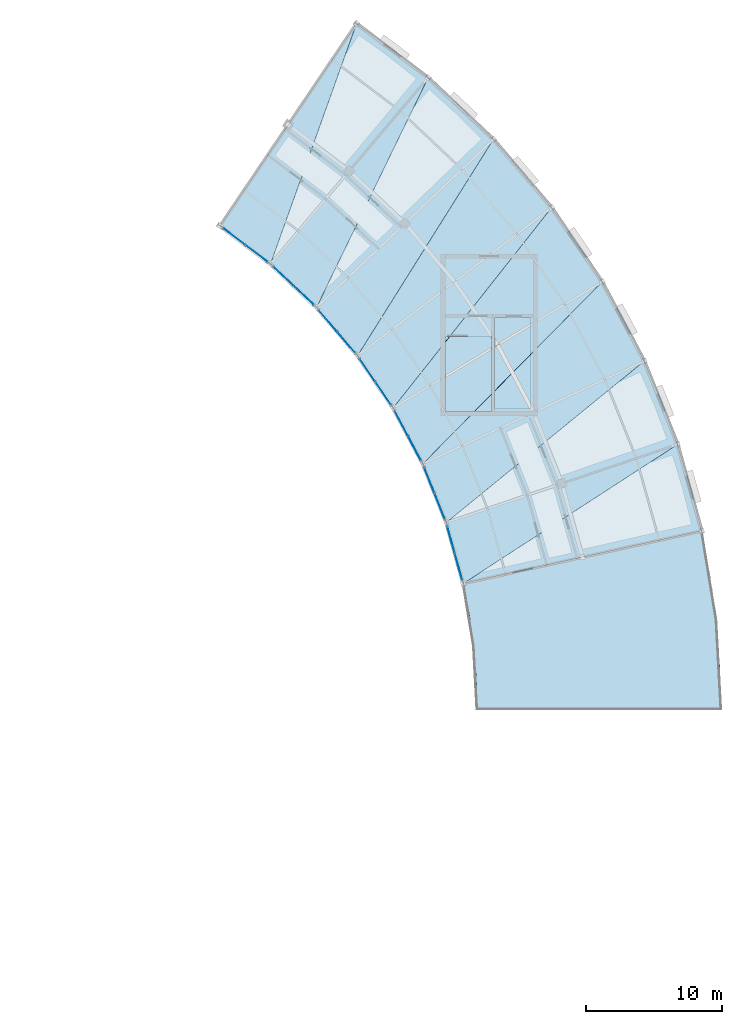
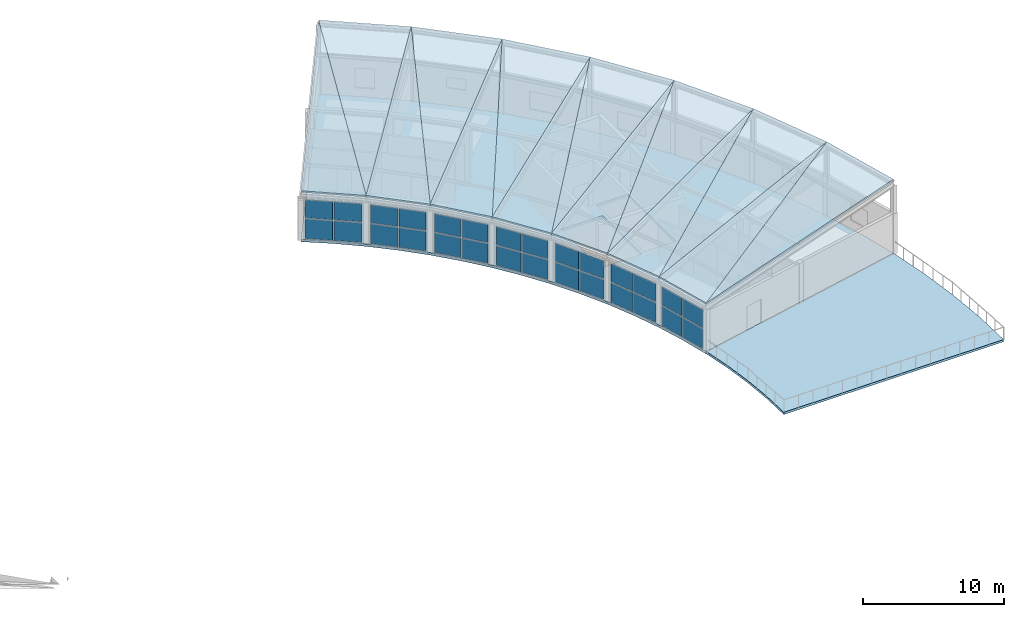
# One storey, part 20 of 36: 28 plates, 16 slabs, 7 elements without a shape of their own.
"""IFC4 building model written with IfcOpenShell, lengths in metres."""

from ifc_helpers import new_model, si_unit, direction, frame, origin, origin_2d, place, context, subcontext, project, spatial, polyline, rectangle, outline, extrude, material, layer, layer_set, type_object, element, aggregate, save


model = new_model("IFC4")

# Units and contexts
model_context = context("Model", 3, precision=1e-05, world=origin(), true_north=direction((0.0, 1.0)))
body_context = subcontext(model_context, "Body", "Model", "MODEL_VIEW")
ifc_project = project(units=[si_unit("LENGTHUNIT", "METRE"), si_unit("AREAUNIT", "SQUARE_METRE"), si_unit("VOLUMEUNIT", "CUBIC_METRE"), si_unit("PLANEANGLEUNIT", "RADIAN"), si_unit("MASSUNIT", "GRAM", prefix="KILO")], contexts=[model_context])

# Site, building, storey
site_placement = place(None, origin())
site = spatial("IfcSite", under=ifc_project, at=site_placement, CompositionType="ELEMENT")
building_placement = place(site_placement, origin())
building = spatial("IfcBuilding", under=site, at=building_placement, Name="Tarnveldt Headland Concert Hall", CompositionType="ELEMENT")
storey_placement = place(building_placement, frame((0.0, 0.0, 22.800048828125)))
storey = spatial("IfcBuildingStorey", under=building, at=storey_placement, Name="L05", CompositionType="ELEMENT", Elevation=22.800048828125)

# Curtain wall, plates
ifc_material_1 = material(Name="Marine-anodised aluminium EN AW-6063-T6", Category="aluminium")
curtain_wall_type = type_object("IfcCurtainWallType", Name="CW-C6", PredefinedType="NOTDEFINED", material=ifc_material_1)
curtain_wall_1_placement = place(storey_placement, origin())
curtain_wall_1 = element("IfcCurtainWall", 1, at=curtain_wall_1_placement, inside=storey, type_object=curtain_wall_type, Name="Curtain wall CW-L05-156", PredefinedType="NOTDEFINED")
ifc_material_2 = material(Name="Acoustic laminated low-iron double glazing", Category="glass")
ifc_layer_1 = layer(ifc_material_2, 0.027099609375, Name="Acoustic laminated low-iron double glazing", Category="glass")
ifc_layer_set_1 = layer_set([ifc_layer_1], Name="Acoustic laminated low-iron double glazing")
plate_type = type_object("IfcPlateType", Name="PN-C6", PredefinedType="CURTAIN_PANEL", material=ifc_layer_set_1)
plate_1_placement = place(storey_placement, frame((159.141357421875, 70.51806640625, 0.09765625), z_axis=(0.0, 0.0, 1.0), x_axis=(-0.26814645756, 0.963378159031, 0.0)))
plate_1 = element("IfcPlate", 2, at=plate_1_placement, type_object=plate_type, Name="Glazed panel CW-L05-156-1-1", PredefinedType="CURTAIN_PANEL", context=body_context, shape_type="SweptSolid", body=[
    extrude(rectangle(XDim=1.959716796875, YDim=0.027099609375, at=origin_2d()), origin(), (0.0, 0.0, 1.0), 1.700927734375),
])
plate_2_placement = place(storey_placement, frame((159.141357421875, 70.51806640625, 1.893310546875), z_axis=(0.0, 0.0, 1.0), x_axis=(-0.26814645756, 0.963378159031, 0.0)))
plate_2 = element("IfcPlate", 3, at=plate_2_placement, type_object=plate_type, Name="Glazed panel CW-L05-156-1-2", PredefinedType="CURTAIN_PANEL", context=body_context, shape_type="SweptSolid", body=[
    extrude(rectangle(XDim=1.959716796875, YDim=0.027099609375, at=origin_2d()), origin(), (0.0, 0.0, 1.0), 1.55908203125),
])
plate_3_placement = place(storey_placement, frame((158.58642578125, 72.510986328125, 0.09765625), z_axis=(0.0, 0.0, 1.0), x_axis=(-0.26814645756, 0.963378159031, 0.0)))
plate_3 = element("IfcPlate", 4, at=plate_3_placement, type_object=plate_type, Name="Glazed panel CW-L05-156-2-1", PredefinedType="CURTAIN_PANEL", context=body_context, shape_type="SweptSolid", body=[
    extrude(rectangle(XDim=1.959716796875, YDim=0.027099609375, at=origin_2d()), origin(), (0.0, 0.0, 1.0), 1.700927734375),
])
plate_4_placement = place(storey_placement, frame((158.58642578125, 72.510986328125, 1.893310546875), z_axis=(0.0, 0.0, 1.0), x_axis=(-0.26814645756, 0.963378159031, 0.0)))
plate_4 = element("IfcPlate", 5, at=plate_4_placement, type_object=plate_type, Name="Glazed panel CW-L05-156-2-2", PredefinedType="CURTAIN_PANEL", context=body_context, shape_type="SweptSolid", body=[
    extrude(rectangle(XDim=1.959716796875, YDim=0.027099609375, at=origin_2d()), origin(), (0.0, 0.0, 1.0), 1.55908203125),
])
aggregate(curtain_wall_1, [plate_1, plate_2, plate_3, plate_4])

curtain_wall_2_placement = place(storey_placement, origin())
curtain_wall_2 = element("IfcCurtainWall", 6, at=curtain_wall_2_placement, inside=storey, type_object=curtain_wall_type, Name="Curtain wall CW-L05-157", PredefinedType="NOTDEFINED")
plate_5_placement = place(storey_placement, frame((157.756103515625, 74.96923828125, 0.09765625), z_axis=(0.0, 0.0, 1.0), x_axis=(-0.371027502784, 0.928621877934, 0.0)))
plate_5 = element("IfcPlate", 7, at=plate_5_placement, type_object=plate_type, Name="Glazed panel CW-L05-157-1-1", PredefinedType="CURTAIN_PANEL", context=body_context, shape_type="SweptSolid", body=[
    extrude(rectangle(XDim=1.959716796875, YDim=0.027099609375, at=origin_2d()), origin(), (0.0, 0.0, 1.0), 1.700927734375),
])
plate_6_placement = place(storey_placement, frame((157.756103515625, 74.96923828125, 1.893310546875), z_axis=(0.0, 0.0, 1.0), x_axis=(-0.371027502784, 0.928621877934, 0.0)))
plate_6 = element("IfcPlate", 8, at=plate_6_placement, type_object=plate_type, Name="Glazed panel CW-L05-157-1-2", PredefinedType="CURTAIN_PANEL", context=body_context, shape_type="SweptSolid", body=[
    extrude(rectangle(XDim=1.959716796875, YDim=0.027099609375, at=origin_2d()), origin(), (0.0, 0.0, 1.0), 1.55908203125),
])
plate_7_placement = place(storey_placement, frame((156.988525390625, 76.890380859375, 0.09765625), z_axis=(0.0, 0.0, 1.0), x_axis=(-0.371027502784, 0.928621877934, 0.0)))
plate_7 = element("IfcPlate", 9, at=plate_7_placement, type_object=plate_type, Name="Glazed panel CW-L05-157-2-1", PredefinedType="CURTAIN_PANEL", context=body_context, shape_type="SweptSolid", body=[
    extrude(rectangle(XDim=1.959716796875, YDim=0.027099609375, at=origin_2d()), origin(), (0.0, 0.0, 1.0), 1.700927734375),
])
plate_8_placement = place(storey_placement, frame((156.988525390625, 76.890380859375, 1.893310546875), z_axis=(0.0, 0.0, 1.0), x_axis=(-0.371027502784, 0.928621877934, 0.0)))
plate_8 = element("IfcPlate", 10, at=plate_8_placement, type_object=plate_type, Name="Glazed panel CW-L05-157-2-2", PredefinedType="CURTAIN_PANEL", context=body_context, shape_type="SweptSolid", body=[
    extrude(rectangle(XDim=1.959716796875, YDim=0.027099609375, at=origin_2d()), origin(), (0.0, 0.0, 1.0), 1.55908203125),
])
aggregate(curtain_wall_2, [plate_5, plate_6, plate_7, plate_8])

curtain_wall_3_placement = place(storey_placement, origin())
curtain_wall_3 = element("IfcCurtainWall", 11, at=curtain_wall_3_placement, inside=storey, type_object=curtain_wall_type, Name="Curtain wall CW-L05-158", PredefinedType="NOTDEFINED")
plate_9_placement = place(storey_placement, frame((155.896484375, 79.244384765625, 0.09765625), z_axis=(0.0, 0.0, 1.0), x_axis=(-0.469471562786, 0.882947592859, 0.0)))
plate_9 = element("IfcPlate", 12, at=plate_9_placement, type_object=plate_type, Name="Glazed panel CW-L05-158-1-1", PredefinedType="CURTAIN_PANEL", context=body_context, shape_type="SweptSolid", body=[
    extrude(rectangle(XDim=1.959716796875, YDim=0.027099609375, at=origin_2d()), origin(), (0.0, 0.0, 1.0), 1.700927734375),
])
plate_10_placement = place(storey_placement, frame((155.896484375, 79.244384765625, 1.893310546875), z_axis=(0.0, 0.0, 1.0), x_axis=(-0.469471562786, 0.882947592859, 0.0)))
plate_10 = element("IfcPlate", 13, at=plate_10_placement, type_object=plate_type, Name="Glazed panel CW-L05-158-1-2", PredefinedType="CURTAIN_PANEL", context=body_context, shape_type="SweptSolid", body=[
    extrude(rectangle(XDim=1.959716796875, YDim=0.027099609375, at=origin_2d()), origin(), (0.0, 0.0, 1.0), 1.55908203125),
])
plate_11_placement = place(storey_placement, frame((154.92529296875, 81.07080078125, 0.09765625), z_axis=(0.0, 0.0, 1.0), x_axis=(-0.469471562786, 0.882947592859, 0.0)))
plate_11 = element("IfcPlate", 14, at=plate_11_placement, type_object=plate_type, Name="Glazed panel CW-L05-158-2-1", PredefinedType="CURTAIN_PANEL", context=body_context, shape_type="SweptSolid", body=[
    extrude(rectangle(XDim=1.959716796875, YDim=0.027099609375, at=origin_2d()), origin(), (0.0, 0.0, 1.0), 1.700927734375),
])
plate_12_placement = place(storey_placement, frame((154.92529296875, 81.07080078125, 1.893310546875), z_axis=(0.0, 0.0, 1.0), x_axis=(-0.469471562786, 0.882947592859, 0.0)))
plate_12 = element("IfcPlate", 15, at=plate_12_placement, type_object=plate_type, Name="Glazed panel CW-L05-158-2-2", PredefinedType="CURTAIN_PANEL", context=body_context, shape_type="SweptSolid", body=[
    extrude(rectangle(XDim=1.959716796875, YDim=0.027099609375, at=origin_2d()), origin(), (0.0, 0.0, 1.0), 1.55908203125),
])
aggregate(curtain_wall_3, [plate_9, plate_10, plate_11, plate_12])

curtain_wall_4_placement = place(storey_placement, origin())
curtain_wall_4 = element("IfcCurtainWall", 16, at=curtain_wall_4_placement, inside=storey, type_object=curtain_wall_type, Name="Curtain wall CW-L05-159", PredefinedType="NOTDEFINED")
plate_13_placement = place(storey_placement, frame((153.58447265625, 83.29248046875, 0.09765625), z_axis=(0.0, 0.0, 1.0), x_axis=(-0.562415343977, 0.826854872913, 0.0)))
plate_13 = element("IfcPlate", 17, at=plate_13_placement, type_object=plate_type, Name="Glazed panel CW-L05-159-1-1", PredefinedType="CURTAIN_PANEL", context=body_context, shape_type="SweptSolid", body=[
    extrude(rectangle(XDim=1.959716796875, YDim=0.027099609375, at=origin_2d()), origin(), (0.0, 0.0, 1.0), 1.700927734375),
])
plate_14_placement = place(storey_placement, frame((153.58447265625, 83.29248046875, 1.893310546875), z_axis=(0.0, 0.0, 1.0), x_axis=(-0.562415343977, 0.826854872913, 0.0)))
plate_14 = element("IfcPlate", 18, at=plate_14_placement, type_object=plate_type, Name="Glazed panel CW-L05-159-1-2", PredefinedType="CURTAIN_PANEL", context=body_context, shape_type="SweptSolid", body=[
    extrude(rectangle(XDim=1.959716796875, YDim=0.027099609375, at=origin_2d()), origin(), (0.0, 0.0, 1.0), 1.55908203125),
])
plate_15_placement = place(storey_placement, frame((152.4208984375, 85.0029296875, 0.09765625), z_axis=(0.0, 0.0, 1.0), x_axis=(-0.562415343977, 0.826854872913, 0.0)))
plate_15 = element("IfcPlate", 19, at=plate_15_placement, type_object=plate_type, Name="Glazed panel CW-L05-159-2-1", PredefinedType="CURTAIN_PANEL", context=body_context, shape_type="SweptSolid", body=[
    extrude(rectangle(XDim=1.959716796875, YDim=0.027099609375, at=origin_2d()), origin(), (0.0, 0.0, 1.0), 1.700927734375),
])
plate_16_placement = place(storey_placement, frame((152.4208984375, 85.0029296875, 1.893310546875), z_axis=(0.0, 0.0, 1.0), x_axis=(-0.562415343977, 0.826854872913, 0.0)))
plate_16 = element("IfcPlate", 20, at=plate_16_placement, type_object=plate_type, Name="Glazed panel CW-L05-159-2-2", PredefinedType="CURTAIN_PANEL", context=body_context, shape_type="SweptSolid", body=[
    extrude(rectangle(XDim=1.959716796875, YDim=0.027099609375, at=origin_2d()), origin(), (0.0, 0.0, 1.0), 1.55908203125),
])
aggregate(curtain_wall_4, [plate_13, plate_14, plate_15, plate_16])

curtain_wall_5_placement = place(storey_placement, origin())
curtain_wall_5 = element("IfcCurtainWall", 21, at=curtain_wall_5_placement, inside=storey, type_object=curtain_wall_type, Name="Curtain wall CW-L05-160", PredefinedType="NOTDEFINED")
plate_17_placement = place(storey_placement, frame((150.847412109375, 87.06640625, 0.09765625), z_axis=(0.0, 0.0, 1.0), x_axis=(-0.648717811893, 0.761029040532, 0.0)))
plate_17 = element("IfcPlate", 22, at=plate_17_placement, type_object=plate_type, Name="Glazed panel CW-L05-160-1-1", PredefinedType="CURTAIN_PANEL", context=body_context, shape_type="SweptSolid", body=[
    extrude(rectangle(XDim=1.959716796875, YDim=0.027099609375, at=origin_2d()), origin(), (0.0, 0.0, 1.0), 1.700927734375),
])
plate_18_placement = place(storey_placement, frame((150.847412109375, 87.06640625, 1.893310546875), z_axis=(0.0, 0.0, 1.0), x_axis=(-0.648717811893, 0.761029040532, 0.0)))
plate_18 = element("IfcPlate", 23, at=plate_18_placement, type_object=plate_type, Name="Glazed panel CW-L05-160-1-2", PredefinedType="CURTAIN_PANEL", context=body_context, shape_type="SweptSolid", body=[
    extrude(rectangle(XDim=1.959716796875, YDim=0.027099609375, at=origin_2d()), origin(), (0.0, 0.0, 1.0), 1.55908203125),
])
plate_19_placement = place(storey_placement, frame((149.50537109375, 88.640625, 0.09765625), z_axis=(0.0, 0.0, 1.0), x_axis=(-0.648717811893, 0.761029040532, 0.0)))
plate_19 = element("IfcPlate", 24, at=plate_19_placement, type_object=plate_type, Name="Glazed panel CW-L05-160-2-1", PredefinedType="CURTAIN_PANEL", context=body_context, shape_type="SweptSolid", body=[
    extrude(rectangle(XDim=1.959716796875, YDim=0.027099609375, at=origin_2d()), origin(), (0.0, 0.0, 1.0), 1.700927734375),
])
plate_20_placement = place(storey_placement, frame((149.50537109375, 88.640625, 1.893310546875), z_axis=(0.0, 0.0, 1.0), x_axis=(-0.648717811893, 0.761029040532, 0.0)))
plate_20 = element("IfcPlate", 25, at=plate_20_placement, type_object=plate_type, Name="Glazed panel CW-L05-160-2-2", PredefinedType="CURTAIN_PANEL", context=body_context, shape_type="SweptSolid", body=[
    extrude(rectangle(XDim=1.959716796875, YDim=0.027099609375, at=origin_2d()), origin(), (0.0, 0.0, 1.0), 1.55908203125),
])
aggregate(curtain_wall_5, [plate_17, plate_18, plate_19, plate_20])

curtain_wall_6_placement = place(storey_placement, origin())
curtain_wall_6 = element("IfcCurtainWall", 26, at=curtain_wall_6_placement, inside=storey, type_object=curtain_wall_type, Name="Curtain wall CW-L05-161", PredefinedType="NOTDEFINED")
plate_21_placement = place(storey_placement, frame((147.71728515625, 90.521240234375, 0.09765625), z_axis=(0.0, 0.0, 1.0), x_axis=(-0.727377633953, 0.686237406169, 0.0)))
plate_21 = element("IfcPlate", 27, at=plate_21_placement, type_object=plate_type, Name="Glazed panel CW-L05-161-1-1", PredefinedType="CURTAIN_PANEL", context=body_context, shape_type="SweptSolid", body=[
    extrude(rectangle(XDim=1.959716796875, YDim=0.027099609375, at=origin_2d()), origin(), (0.0, 0.0, 1.0), 1.700927734375),
])
plate_22_placement = place(storey_placement, frame((147.71728515625, 90.521240234375, 1.893310546875), z_axis=(0.0, 0.0, 1.0), x_axis=(-0.727377633953, 0.686237406169, 0.0)))
plate_22 = element("IfcPlate", 28, at=plate_22_placement, type_object=plate_type, Name="Glazed panel CW-L05-161-1-2", PredefinedType="CURTAIN_PANEL", context=body_context, shape_type="SweptSolid", body=[
    extrude(rectangle(XDim=1.959716796875, YDim=0.027099609375, at=origin_2d()), origin(), (0.0, 0.0, 1.0), 1.55908203125),
])
plate_23_placement = place(storey_placement, frame((146.21240234375, 91.94091796875, 0.09765625), z_axis=(0.0, 0.0, 1.0), x_axis=(-0.727377633953, 0.686237406169, 0.0)))
plate_23 = element("IfcPlate", 29, at=plate_23_placement, type_object=plate_type, Name="Glazed panel CW-L05-161-2-1", PredefinedType="CURTAIN_PANEL", context=body_context, shape_type="SweptSolid", body=[
    extrude(rectangle(XDim=1.959716796875, YDim=0.027099609375, at=origin_2d()), origin(), (0.0, 0.0, 1.0), 1.700927734375),
])
plate_24_placement = place(storey_placement, frame((146.21240234375, 91.94091796875, 1.893310546875), z_axis=(0.0, 0.0, 1.0), x_axis=(-0.727377633953, 0.686237406169, 0.0)))
plate_24 = element("IfcPlate", 30, at=plate_24_placement, type_object=plate_type, Name="Glazed panel CW-L05-161-2-2", PredefinedType="CURTAIN_PANEL", context=body_context, shape_type="SweptSolid", body=[
    extrude(rectangle(XDim=1.959716796875, YDim=0.027099609375, at=origin_2d()), origin(), (0.0, 0.0, 1.0), 1.55908203125),
])
aggregate(curtain_wall_6, [plate_21, plate_22, plate_23, plate_24])

curtain_wall_7_placement = place(storey_placement, origin())
curtain_wall_7 = element("IfcCurtainWall", 31, at=curtain_wall_7_placement, inside=storey, type_object=curtain_wall_type, Name="Curtain wall CW-L05-162", PredefinedType="NOTDEFINED")
plate_25_placement = place(storey_placement, frame((144.231201171875, 93.616455078125, 0.09765625), z_axis=(0.0, 0.0, 1.0), x_axis=(-0.797478637023, 0.603347183213, 0.0)))
plate_25 = element("IfcPlate", 32, at=plate_25_placement, type_object=plate_type, Name="Glazed panel CW-L05-162-1-1", PredefinedType="CURTAIN_PANEL", context=body_context, shape_type="SweptSolid", body=[
    extrude(rectangle(XDim=1.959716796875, YDim=0.027099609375, at=origin_2d()), origin(), (0.0, 0.0, 1.0), 1.700927734375),
])
plate_26_placement = place(storey_placement, frame((144.231201171875, 93.616455078125, 1.893310546875), z_axis=(0.0, 0.0, 1.0), x_axis=(-0.797478637023, 0.603347183213, 0.0)))
plate_26 = element("IfcPlate", 33, at=plate_26_placement, type_object=plate_type, Name="Glazed panel CW-L05-162-1-2", PredefinedType="CURTAIN_PANEL", context=body_context, shape_type="SweptSolid", body=[
    extrude(rectangle(XDim=1.959716796875, YDim=0.027099609375, at=origin_2d()), origin(), (0.0, 0.0, 1.0), 1.55908203125),
])
plate_27_placement = place(storey_placement, frame((142.58154296875, 94.864501953125, 0.09765625), z_axis=(0.0, 0.0, 1.0), x_axis=(-0.797478637023, 0.603347183213, 0.0)))
plate_27 = element("IfcPlate", 34, at=plate_27_placement, type_object=plate_type, Name="Glazed panel CW-L05-162-2-1", PredefinedType="CURTAIN_PANEL", context=body_context, shape_type="SweptSolid", body=[
    extrude(rectangle(XDim=1.959716796875, YDim=0.027099609375, at=origin_2d()), origin(), (0.0, 0.0, 1.0), 1.700927734375),
])
plate_28_placement = place(storey_placement, frame((142.58154296875, 94.864501953125, 1.893310546875), z_axis=(0.0, 0.0, 1.0), x_axis=(-0.797478637023, 0.603347183213, 0.0)))
plate_28 = element("IfcPlate", 35, at=plate_28_placement, type_object=plate_type, Name="Glazed panel CW-L05-162-2-2", PredefinedType="CURTAIN_PANEL", context=body_context, shape_type="SweptSolid", body=[
    extrude(rectangle(XDim=1.959716796875, YDim=0.027099609375, at=origin_2d()), origin(), (0.0, 0.0, 1.0), 1.55908203125),
])
aggregate(curtain_wall_7, [plate_25, plate_26, plate_27, plate_28])

# Slabs
ifc_material_3 = material(Name="Concrete C40/50", Category="concrete")
ifc_layer_2 = layer(ifc_material_3, 0.219970703125, Name="Concrete C40/50", Category="concrete")
ifc_layer_set_2 = layer_set([ifc_layer_2], Name="Concrete C40/50")
slab_type_1 = type_object("IfcSlabType", Name="SL-FL220", PredefinedType="FLOOR", material=ifc_layer_set_2)
slab_1_placement = place(storey_placement, frame((0.0, 0.0, -0.219970703125)))
element("IfcSlab", 36, at=slab_1_placement, inside=storey, type_object=slab_type_1, Name="Crescent wing floor slab L05 sector 1", PredefinedType="FLOOR", context=body_context, shape_type="SweptSolid", body=[
    extrude(outline(polyline([(158.9248046875, 71.531494140625), (159.48974609375, 69.26611328125), (177.06689453125, 73.14501953125), (176.265625, 76.3583984375), (175.291259765625, 79.523681640625), (174.146484375, 82.631591796875), (172.834716796875, 85.672607421875), (171.35986328125, 88.6376953125), (169.726318359375, 91.518798828125), (167.938720703125, 94.306640625), (166.00244140625, 96.993408203125), (163.923095703125, 99.5712890625), (161.70703125, 102.032470703125), (159.360595703125, 104.369873046875), (156.89111328125, 106.576416015625), (154.30517578125, 108.6455078125), (151.61083984375, 110.5712890625), (141.54541015625, 95.648681640625), (143.444580078125, 94.291015625), (145.267333984375, 92.83251953125), (147.00830078125, 91.277099609375), (148.662353515625, 89.62939453125), (150.224609375, 87.89453125), (151.690185546875, 86.077392578125), (153.05517578125, 84.183349609375), (154.315185546875, 82.218017578125), (155.466796875, 80.187255859375), (156.50634765625, 78.096923828125), (157.43115234375, 75.953369140625), (158.238037109375, 73.7626953125), (158.9248046875, 71.531494140625)]), holes=[polyline([(158.179931640625, 87.47998046875), (161.56005859375, 87.47998046875), (161.56005859375, 81.97998046875), (158.179931640625, 81.97998046875), (158.179931640625, 87.47998046875)]), polyline([(164.43994140625, 88.860107421875), (164.43994140625, 82.159912109375), (161.840087890625, 82.159912109375), (161.840087890625, 88.860107421875), (164.43994140625, 88.860107421875)])]), origin(), (0.0, 0.0, 1.0), 0.219970703125),
])
ifc_layer_3 = layer(ifc_material_3, 0.1650390625, Name="Concrete C40/50", Category="concrete")
ifc_layer_set_3 = layer_set([ifc_layer_3], Name="Concrete C40/50")
slab_type_2 = type_object("IfcSlabType", Name="SL-RF165", PredefinedType="ROOF", material=ifc_layer_set_3)
slab_2_placement = place(storey_placement, frame((159.48974609375, 69.26611328125, 4.199951171875), z_axis=(-0.117042587758, -0.032581266152, 0.992592309937), x_axis=(0.969292565128, 0.213902442841, 0.121316396805)))
element("IfcSlab", 37, at=slab_2_placement, inside=storey, type_object=slab_type_2, Name="Crescent monsoon sloped roof bay 11A", PredefinedType="ROOF", context=body_context, shape_type="SweptSolid", body=[
    extrude(outline(polyline([(0.0, 0.0), (18.133996968369434, 8.500145032286355e-16), (17.777298798916455, 6.611578899353872), (0.0, 0.0)])), origin(), (0.0, 0.0, -1.0), 0.1650390625),
])
slab_3_placement = place(storey_placement, frame((159.48974609375, 69.26611328125, 4.199951171875), z_axis=(-0.117042718448, -0.032581062954, 0.992592301197), x_axis=(0.8331076261, 0.540812646364, 0.115988641113)))
element("IfcSlab", 38, at=slab_3_placement, inside=storey, type_object=slab_type_2, Name="Crescent monsoon sloped roof bay 11B", PredefinedType="ROOF", context=body_context, shape_type="SweptSolid", body=[
    extrude(outline(polyline([(0.0, 0.0), (18.966953580592165, -1.0824674490095276e-15), (1.3890001273705506, 4.456086174154408), (0.0, 0.0)])), origin(), (0.0, 0.0, -1.0), 0.1650390625),
])
slab_4_placement = place(storey_placement, frame((158.238037109375, 73.7626953125, 4.199951171875), z_axis=(-0.112822491078, -0.045073449743, 0.992592297792), x_axis=(0.940401649601, 0.317690160711, 0.121316524904)))
element("IfcSlab", 39, at=slab_4_placement, inside=storey, type_object=slab_type_2, Name="Crescent monsoon sloped roof bay 12A", PredefinedType="ROOF", context=body_context, shape_type="SweptSolid", body=[
    extrude(outline(polyline([(0.0, 0.0), (18.133977820520123, -4.562322741819003e-16), (17.777293980034592, 6.611858154752904), (0.0, 0.0)])), origin(), (0.0, 0.0, -1.0), 0.1650390625),
])
slab_5_placement = place(storey_placement, frame((158.238037109375, 73.7626953125, 4.199951171875), z_axis=(-0.112820391324, -0.045076045494, 0.992592418581), x_axis=(0.769581060337, 0.627926554934, 0.115988073438)))
element("IfcSlab", 40, at=slab_5_placement, inside=storey, type_object=slab_type_2, Name="Crescent monsoon sloped roof bay 12B", PredefinedType="ROOF", context=body_context, shape_type="SweptSolid", body=[
    extrude(outline(polyline([(0.0, 0.0), (18.9670464097905, -4.718447854656915e-16), (1.3889017746039212, 4.455921571148143), (0.0, 0.0)])), origin(), (0.0, 0.0, -1.0), 0.1650390625),
])
slab_6_placement = place(storey_placement, frame((156.50634765625, 78.096923828125, 4.199951171875), z_axis=(-0.107271528733, -0.057035876715, 0.992592427883), x_axis=(0.900422337302, 0.417758483373, 0.12131555571)))
element("IfcSlab", 41, at=slab_6_placement, inside=storey, type_object=slab_type_2, Name="Crescent monsoon sloped roof bay 13A", PredefinedType="ROOF", context=body_context, shape_type="SweptSolid", body=[
    extrude(outline(polyline([(0.0, 0.0), (18.13412269352344, -3.8163916471489756e-16), (17.777547362548045, 6.611576879845201), (0.0, 0.0)])), origin(), (0.0, 0.0, -1.0), 0.1650390625),
])
slab_7_placement = place(storey_placement, frame((156.50634765625, 78.096923828125, 4.199951171875), z_axis=(-0.107271669691, -0.057035736699, 0.992592420695), x_axis=(0.696991678561, 0.707636604934, 0.115987220734)))
element("IfcSlab", 42, at=slab_7_placement, inside=storey, type_object=slab_type_2, Name="Crescent monsoon sloped roof bay 13B", PredefinedType="ROOF", context=body_context, shape_type="SweptSolid", body=[
    extrude(outline(polyline([(0.0, 0.0), (18.96718584992889, 1.0269562977782698e-15), (1.3890150332525453, 4.455922163059876), (0.0, 0.0)])), origin(), (0.0, 0.0, -1.0), 0.1650390625),
])
slab_8_placement = place(storey_placement, frame((154.315185546875, 82.218017578125, 4.199951171875), z_axis=(-0.10045517112, -0.068330481854, 0.99259241577), x_axis=(0.849840457211, 0.512887682306, 0.121315384955)))
element("IfcSlab", 43, at=slab_8_placement, inside=storey, type_object=slab_type_2, Name="Crescent monsoon sloped roof bay 14A", PredefinedType="ROOF", context=body_context, shape_type="SweptSolid", body=[
    extrude(outline(polyline([(0.0, 0.0), (18.13414821775481, -1.9394208461420703e-15), (17.777306639190492, 6.6114500269351755), (0.0, 0.0)])), origin(), (0.0, 0.0, -1.0), 0.1650390625),
])
slab_9_placement = place(storey_placement, frame((154.315185546875, 82.218017578125, 4.199951171875), z_axis=(-0.100458349265, -0.068327946059, 0.992592268684), x_axis=(0.616191681098, 0.779008596856, 0.11598887089)))
element("IfcSlab", 44, at=slab_9_placement, inside=storey, type_object=slab_type_2, Name="Crescent monsoon sloped roof bay 14B", PredefinedType="ROOF", context=body_context, shape_type="SweptSolid", body=[
    extrude(outline(polyline([(0.0, 0.0), (18.96691600662763, 8.465450562766819e-16), (1.3889831406062185, 4.456021344847519), (0.0, 0.0)])), origin(), (0.0, 0.0, -1.0), 0.1650390625),
])
slab_10_placement = place(storey_placement, frame((151.690185546875, 86.077392578125, 4.199951171875), z_axis=(-0.092459903838, -0.078814900588, 0.992592251444), x_axis=(0.789252326461, 0.601965952284, 0.121316764985)))
element("IfcSlab", 45, at=slab_10_placement, inside=storey, type_object=slab_type_2, Name="Crescent monsoon sloped roof bay 15A", PredefinedType="ROOF", context=body_context, shape_type="SweptSolid", body=[
    extrude(outline(polyline([(0.0, 0.0), (18.133941934066414, -6.175615574477433e-16), (17.7771235315711, 6.611760727443378), (0.0, 0.0)])), origin(), (0.0, 0.0, -1.0), 0.1650390625),
])
slab_11_placement = place(storey_placement, frame((151.690185546875, 86.077392578125, 4.199951171875), z_axis=(-0.092459453429, -0.078815186021, 0.992592270736), x_axis=(0.528123767644, 0.84120852234, 0.115989258092)))
element("IfcSlab", 46, at=slab_11_placement, inside=storey, type_object=slab_type_2, Name="Crescent monsoon sloped roof bay 15B", PredefinedType="ROOF", context=body_context, shape_type="SweptSolid", body=[
    extrude(outline(polyline([(0.0, 0.0), (18.966852690251525, 1.5265566588595902e-16), (1.3889042541987398, 4.455943183786791), (0.0, 0.0)])), origin(), (0.0, 0.0, -1.0), 0.1650390625),
])
slab_12_placement = place(storey_placement, frame((148.662353515625, 89.62939453125, 4.199951171875), z_axis=(-0.08337701759, -0.088367453739, 0.992592295989), x_axis=(0.719351630269, 0.683970370619, 0.121316792505)))
element("IfcSlab", 47, at=slab_12_placement, inside=storey, type_object=slab_type_2, Name="Crescent monsoon sloped roof bay 16A", PredefinedType="ROOF", context=body_context, shape_type="SweptSolid", body=[
    extrude(outline(polyline([(0.0, 0.0), (18.133937820497415, 1.6306400674181987e-15), (17.777523337899368, 6.611616564904096), (0.0, 0.0)])), origin(), (0.0, 0.0, -1.0), 0.1650390625),
])
slab_13_placement = place(storey_placement, frame((148.662353515625, 89.62939453125, 4.199951171875), z_axis=(-0.08337407765, -0.088368896632, 0.99259241448), x_axis=(0.433842089088, 0.893492022372, 0.11598727384)))
element("IfcSlab", 48, at=slab_13_placement, inside=storey, type_object=slab_type_2, Name="Crescent monsoon sloped roof bay 16B", PredefinedType="ROOF", context=body_context, shape_type="SweptSolid", body=[
    extrude(outline(polyline([(0.0, 0.0), (18.967177165589796, -1.3461454173580023e-15), (1.389064268228359, 4.456082117951282), (0.0, 0.0)])), origin(), (0.0, 0.0, -1.0), 0.1650390625),
])
slab_14_placement = place(storey_placement, frame((145.267333984375, 92.83251953125, 4.199951171875), z_axis=(-0.073301736692, -0.096887487696, 0.992592398785), x_axis=(0.640989030788, 0.75790211271, 0.121315497604)))
element("IfcSlab", 49, at=slab_14_placement, inside=storey, type_object=slab_type_2, Name="Crescent monsoon sloped roof bay 17A", PredefinedType="ROOF", context=body_context, shape_type="SweptSolid", body=[
    extrude(outline(polyline([(0.0, 0.0), (18.134131379095873, 2.9611729734924097e-15), (17.77725674832961, 6.611576115672562), (0.0, 0.0)])), origin(), (0.0, 0.0, -1.0), 0.1650390625),
])
slab_15_placement = place(storey_placement, frame((145.267333984375, 92.83251953125, 4.199951171875), z_axis=(-0.073307512468, -0.096885394675, 0.992592176533), x_axis=(0.334451146237, 0.935248100038, 0.115988888071)))
element("IfcSlab", 50, at=slab_15_placement, inside=storey, type_object=slab_type_2, Name="Crescent monsoon sloped roof bay 17B", PredefinedType="ROOF", context=body_context, shape_type="SweptSolid", body=[
    extrude(outline(polyline([(0.0, 0.0), (18.96691319718004, -1.3877787807814457e-16), (1.3890085716689289, 4.4557986036707655), (0.0, 0.0)])), origin(), (0.0, 0.0, -1.0), 0.1650390625),
])
ifc_layer_4 = layer(ifc_material_3, 0.195068359375, Name="Concrete C40/50", Category="concrete")
ifc_layer_set_4 = layer_set([ifc_layer_4], Name="Concrete C40/50")
slab_type_3 = type_object("IfcSlabType", Name="SL-TR195", PredefinedType="ROOF", material=ifc_layer_set_4)
slab_16_placement = place(storey_placement, frame((0.0, 0.0, -0.195068359375)))
element("IfcSlab", 51, at=slab_16_placement, inside=storey, type_object=slab_type_3, Name="Crescent stepped coastal roof terrace L05", PredefinedType="ROOF", context=body_context, shape_type="SweptSolid", body=[
    extrude(outline(polyline([(178.5, 60.0), (178.41015625, 63.310546875), (178.140625, 66.611572265625), (177.6923828125, 69.892822265625), (177.06689453125, 73.14501953125), (159.48974609375, 69.26611328125), (159.9306640625, 66.9736328125), (160.24658203125, 64.66064453125), (160.4365234375, 62.333740234375), (160.5, 60.0), (178.5, 60.0)])), origin(), (0.0, 0.0, 1.0), 0.195068359375),
])

save(model, "model.ifc")
